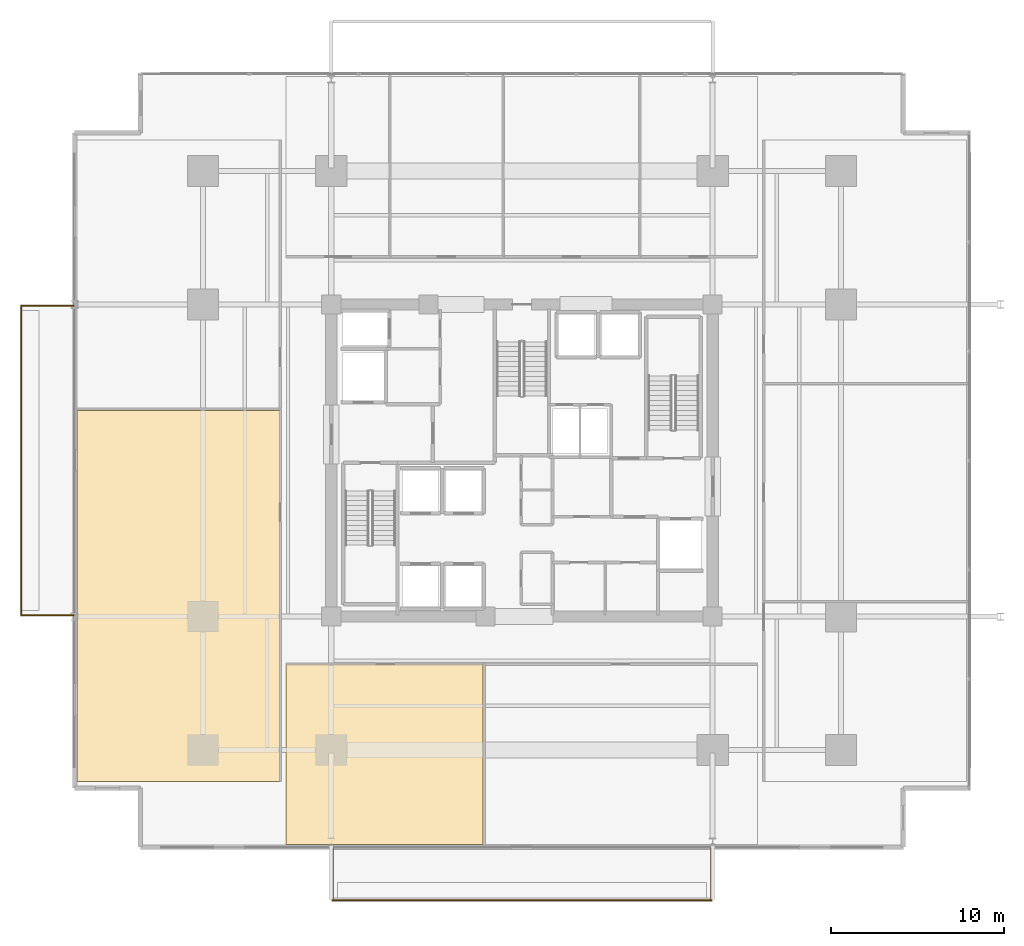
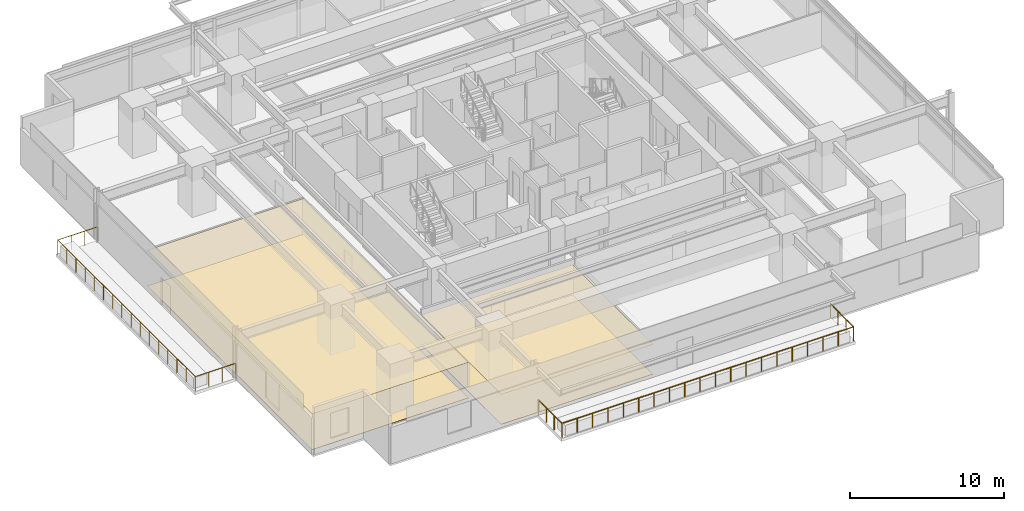
# One storey, part 18 of 22: 4 coverings, 2 railings.
"""IFC4 building model written with IfcOpenShell, lengths in metres."""

from ifc_helpers import new_model, si_unit, direction, frame, origin, origin_2d, place, context, subcontext, project, spatial, polyline, circle, outline, extrude, material, layer, layer_set, type_object, element, save


model = new_model("IFC4")

# Units and contexts
model_context = context("Model", 3, precision=1e-05, world=origin(), true_north=direction((0.0, 1.0)))
body_context = subcontext(model_context, "Body", "Model", "MODEL_VIEW")
ifc_project = project(units=[si_unit("LENGTHUNIT", "METRE"), si_unit("AREAUNIT", "SQUARE_METRE"), si_unit("VOLUMEUNIT", "CUBIC_METRE"), si_unit("PLANEANGLEUNIT", "RADIAN"), si_unit("MASSUNIT", "GRAM", prefix="KILO")], contexts=[model_context])

# Site, building, storey
site_placement = place(None, origin())
site = spatial("IfcSite", under=ifc_project, at=site_placement, CompositionType="ELEMENT")
building_placement = place(site_placement, origin())
building = spatial("IfcBuilding", under=site, at=building_placement, Name="Kovane Verandah Tower", CompositionType="ELEMENT")
storey_placement = place(building_placement, frame((0.0, 0.0, 59.60009765625)))
storey = spatial("IfcBuildingStorey", under=building, at=storey_placement, Name="L13", CompositionType="ELEMENT", Elevation=59.60009765625)

# Coverings
ifc_material_1 = material(Name="Perforated Acoustic Mineral-Fibre Ceiling Tile", Category="gypsum")
ifc_layer_1 = layer(ifc_material_1, 0.02490234375)
ifc_layer_set_1 = layer_set([ifc_layer_1], Name="Perforated Acoustic Mineral-Fibre Ceiling Tile")
covering_type_1 = type_object("IfcCoveringType", Name="CV-CEIL-25", PredefinedType="CEILING", material=ifc_layer_set_1)
covering_1_placement = place(storey_placement, frame((0.0, 0.0, 2.364990234375)))
element("IfcCovering", 1, at=covering_1_placement, inside=storey, type_object=covering_type_1, Name="L13 Collaboration Hub S1 Acoustic Ceiling", PredefinedType="CEILING", context=body_context, shape_type="SweptSolid", body=[
    extrude(outline(polyline([(26.39990234375, 5.346435546875), (37.75390625, 5.346435546875), (37.75390625, 15.75), (26.39990234375, 15.75), (26.39990234375, 5.346435546875)])), origin(), (0.0, 0.0, 1.0), 0.02490234375),
])
covering_2_placement = place(storey_placement, frame((0.0, 0.0, 2.824951171875)))
element("IfcCovering", 2, at=covering_2_placement, inside=storey, type_object=covering_type_1, Name="L13 Open Plan Office W1 Acoustic Ceiling", PredefinedType="CEILING", context=body_context, shape_type="SweptSolid", body=[
    extrude(outline(polyline([(14.3447265625, 8.996337890625), (26.050048828125, 8.996337890625), (26.050048828125, 30.390625), (14.3447265625, 30.390625), (14.3447265625, 8.996337890625)])), origin(), (0.0, 0.0, 1.0), 0.02490234375),
])
ifc_material_2 = material(Name="Polished Terrazzo and Raised-Access Carpet Tile Finish", Category="concrete")
ifc_layer_2 = layer(ifc_material_2, 0.030029296875)
ifc_layer_set_2 = layer_set([ifc_layer_2], Name="Polished Terrazzo and Raised-Access Carpet Tile Finish")
covering_type_2 = type_object("IfcCoveringType", Name="CV-FLOR-30", PredefinedType="FLOORING", material=ifc_layer_set_2)
covering_3_placement = place(storey_placement, origin())
element("IfcCovering", 3, at=covering_3_placement, inside=storey, type_object=covering_type_2, Name="L13 Collaboration Hub S1 Floor Finish", PredefinedType="FLOORING", context=body_context, shape_type="SweptSolid", body=[
    extrude(outline(polyline([(26.39990234375, 5.346435546875), (37.75390625, 5.346435546875), (37.75390625, 15.75), (26.39990234375, 15.75), (26.39990234375, 5.346435546875)])), origin(), (0.0, 0.0, 1.0), 0.02978515625),
])
covering_4_placement = place(storey_placement, origin())
element("IfcCovering", 4, at=covering_4_placement, inside=storey, type_object=covering_type_2, Name="L13 Open Plan Office W1 Floor Finish", PredefinedType="FLOORING", context=body_context, shape_type="SweptSolid", body=[
    extrude(outline(polyline([(14.3447265625, 8.996337890625), (26.050048828125, 8.996337890625), (26.050048828125, 30.390625), (14.3447265625, 30.390625), (14.3447265625, 8.996337890625)])), origin(), (0.0, 0.0, 1.0), 0.02978515625),
])

# Railings
ifc_material_3 = material(Name="Laminated Glass and Pale-Champagne Stainless Balustrade", Category="glass")
railing_type = type_object("IfcRailingType", Name="RL-BAL-1150", PredefinedType="BALUSTRADE", material=ifc_material_3)
railing_1_placement = place(storey_placement, frame((29.080078125, 5.146484375, 0.0)))
element("IfcRailing", 5, at=railing_1_placement, inside=storey, type_object=railing_type, Name="L13 S Verandah Glass Balustrade", PredefinedType="BALUSTRADE", context=body_context, shape_type="SweptSolid", body=[
    extrude(circle(Radius=0.02392578125, at=origin_2d()), frame((0.0, 0.0, 1.1259765625), z_axis=(0.0, -1.0, 0.0), x_axis=(1.0, 0.0, 0.0)), (0.0, 0.0, 1.0), 3.02001953125),
    extrude(circle(Radius=0.02392578125, at=origin_2d()), frame((0.0, -3.02001953125, 1.1259765625), z_axis=(1.0, 0.0, 0.0), x_axis=(0.0, 1.0, 0.0)), (0.0, 0.0, 1.0), 21.83984375),
    extrude(circle(Radius=0.02392578125, at=origin_2d()), frame((21.83984375, -3.02001953125, 1.1259765625), z_axis=(0.0, 1.0, 0.0), x_axis=(-1.0, 0.0, 0.0)), (0.0, 0.0, 1.0), 3.02001953125),
    extrude(circle(Radius=0.02099609375, at=origin_2d()), origin(), (0.0, 0.0, 1.0), 1.101806640625),
    extrude(circle(Radius=0.02099609375, at=origin_2d()), frame((0.0, -1.006591796875, 0.0)), (0.0, 0.0, 1.0), 1.101806640625),
    extrude(circle(Radius=0.02099609375, at=origin_2d()), frame((0.0, -2.013427734375, 0.0)), (0.0, 0.0, 1.0), 1.101806640625),
    extrude(circle(Radius=0.02099609375, at=origin_2d()), frame((0.0, -3.02001953125, 0.0)), (0.0, 0.0, 1.0), 1.101806640625),
    extrude(circle(Radius=0.02099609375, at=origin_2d()), frame((1.1494140625, -3.02001953125, 0.0)), (0.0, 0.0, 1.0), 1.101806640625),
    extrude(circle(Radius=0.02099609375, at=origin_2d()), frame((2.298828125, -3.02001953125, 0.0)), (0.0, 0.0, 1.0), 1.101806640625),
    extrude(circle(Radius=0.02099609375, at=origin_2d()), frame((3.448486328125, -3.02001953125, 0.0)), (0.0, 0.0, 1.0), 1.101806640625),
    extrude(circle(Radius=0.02099609375, at=origin_2d()), frame((4.597900390625, -3.02001953125, 0.0)), (0.0, 0.0, 1.0), 1.101806640625),
    extrude(circle(Radius=0.02099609375, at=origin_2d()), frame((5.747314453125, -3.02001953125, 0.0)), (0.0, 0.0, 1.0), 1.101806640625),
    extrude(circle(Radius=0.02099609375, at=origin_2d()), frame((6.896728515625, -3.02001953125, 0.0)), (0.0, 0.0, 1.0), 1.101806640625),
    extrude(circle(Radius=0.02099609375, at=origin_2d()), frame((8.046142578125, -3.02001953125, 0.0)), (0.0, 0.0, 1.0), 1.101806640625),
    extrude(circle(Radius=0.02099609375, at=origin_2d()), frame((9.19580078125, -3.02001953125, 0.0)), (0.0, 0.0, 1.0), 1.101806640625),
    extrude(circle(Radius=0.02099609375, at=origin_2d()), frame((10.34521484375, -3.02001953125, 0.0)), (0.0, 0.0, 1.0), 1.101806640625),
    extrude(circle(Radius=0.02099609375, at=origin_2d()), frame((11.49462890625, -3.02001953125, 0.0)), (0.0, 0.0, 1.0), 1.101806640625),
    extrude(circle(Radius=0.02099609375, at=origin_2d()), frame((12.64404296875, -3.02001953125, 0.0)), (0.0, 0.0, 1.0), 1.101806640625),
    extrude(circle(Radius=0.02099609375, at=origin_2d()), frame((13.793701171875, -3.02001953125, 0.0)), (0.0, 0.0, 1.0), 1.101806640625),
    extrude(circle(Radius=0.02099609375, at=origin_2d()), frame((14.943115234375, -3.02001953125, 0.0)), (0.0, 0.0, 1.0), 1.101806640625),
    extrude(circle(Radius=0.02099609375, at=origin_2d()), frame((16.092529296875, -3.02001953125, 0.0)), (0.0, 0.0, 1.0), 1.101806640625),
    extrude(circle(Radius=0.02099609375, at=origin_2d()), frame((17.241943359375, -3.02001953125, 0.0)), (0.0, 0.0, 1.0), 1.101806640625),
    extrude(circle(Radius=0.02099609375, at=origin_2d()), frame((18.391357421875, -3.02001953125, 0.0)), (0.0, 0.0, 1.0), 1.101806640625),
    extrude(circle(Radius=0.02099609375, at=origin_2d()), frame((19.541015625, -3.02001953125, 0.0)), (0.0, 0.0, 1.0), 1.101806640625),
    extrude(circle(Radius=0.02099609375, at=origin_2d()), frame((20.6904296875, -3.02001953125, 0.0)), (0.0, 0.0, 1.0), 1.101806640625),
    extrude(circle(Radius=0.02099609375, at=origin_2d()), frame((21.83984375, -3.02001953125, 0.0)), (0.0, 0.0, 1.0), 1.101806640625),
    extrude(circle(Radius=0.02099609375, at=origin_2d()), frame((21.83984375, -2.013427734375, 0.0)), (0.0, 0.0, 1.0), 1.101806640625),
    extrude(circle(Radius=0.02099609375, at=origin_2d()), frame((21.83984375, -1.006591796875, 0.0)), (0.0, 0.0, 1.0), 1.101806640625),
    extrude(circle(Radius=0.02099609375, at=origin_2d()), frame((21.83984375, 0.0, 0.0)), (0.0, 0.0, 1.0), 1.101806640625),
])
railing_2_placement = place(storey_placement, frame((14.144775390625, 18.580078125, 0.0)))
element("IfcRailing", 6, at=railing_2_placement, inside=storey, type_object=railing_type, Name="L13 W Verandah Glass Balustrade", PredefinedType="BALUSTRADE", context=body_context, shape_type="SweptSolid", body=[
    extrude(circle(Radius=0.02392578125, at=origin_2d()), frame((0.0, 0.0, 1.1259765625), z_axis=(-1.0, 0.0, 0.0), x_axis=(0.0, -1.0, 0.0)), (0.0, 0.0, 1.0), 3.02001953125),
    extrude(circle(Radius=0.02392578125, at=origin_2d()), frame((-3.02001953125, 0.0, 1.1259765625), z_axis=(0.0, 1.0, 0.0), x_axis=(-1.0, 0.0, 0.0)), (0.0, 0.0, 1.0), 17.83984375),
    extrude(circle(Radius=0.02392578125, at=origin_2d()), frame((-3.02001953125, 17.83984375, 1.1259765625), z_axis=(1.0, 0.0, 0.0), x_axis=(0.0, 1.0, 0.0)), (0.0, 0.0, 1.0), 3.02001953125),
    extrude(circle(Radius=0.02099609375, at=origin_2d()), origin(), (0.0, 0.0, 1.0), 1.101806640625),
    extrude(circle(Radius=0.02099609375, at=origin_2d()), frame((-1.006591796875, 0.0, 0.0)), (0.0, 0.0, 1.0), 1.101806640625),
    extrude(circle(Radius=0.02099609375, at=origin_2d()), frame((-2.013427734375, 0.0, 0.0)), (0.0, 0.0, 1.0), 1.101806640625),
    extrude(circle(Radius=0.02099609375, at=origin_2d()), frame((-3.02001953125, 0.0, 0.0)), (0.0, 0.0, 1.0), 1.101806640625),
    extrude(circle(Radius=0.02099609375, at=origin_2d()), frame((-3.02001953125, 1.189208984375, 0.0)), (0.0, 0.0, 1.0), 1.101806640625),
    extrude(circle(Radius=0.02099609375, at=origin_2d()), frame((-3.02001953125, 2.378662109375, 0.0)), (0.0, 0.0, 1.0), 1.101806640625),
    extrude(circle(Radius=0.02099609375, at=origin_2d()), frame((-3.02001953125, 3.56787109375, 0.0)), (0.0, 0.0, 1.0), 1.101806640625),
    extrude(circle(Radius=0.02099609375, at=origin_2d()), frame((-3.02001953125, 4.75732421875, 0.0)), (0.0, 0.0, 1.0), 1.101806640625),
    extrude(circle(Radius=0.02099609375, at=origin_2d()), frame((-3.02001953125, 5.946533203125, 0.0)), (0.0, 0.0, 1.0), 1.101806640625),
    extrude(circle(Radius=0.02099609375, at=origin_2d()), frame((-3.02001953125, 7.135986328125, 0.0)), (0.0, 0.0, 1.0), 1.101806640625),
    extrude(circle(Radius=0.02099609375, at=origin_2d()), frame((-3.02001953125, 8.3251953125, 0.0)), (0.0, 0.0, 1.0), 1.101806640625),
    extrude(circle(Radius=0.02099609375, at=origin_2d()), frame((-3.02001953125, 9.5146484375, 0.0)), (0.0, 0.0, 1.0), 1.101806640625),
    extrude(circle(Radius=0.02099609375, at=origin_2d()), frame((-3.02001953125, 10.703857421875, 0.0)), (0.0, 0.0, 1.0), 1.101806640625),
    extrude(circle(Radius=0.02099609375, at=origin_2d()), frame((-3.02001953125, 11.893310546875, 0.0)), (0.0, 0.0, 1.0), 1.101806640625),
    extrude(circle(Radius=0.02099609375, at=origin_2d()), frame((-3.02001953125, 13.08251953125, 0.0)), (0.0, 0.0, 1.0), 1.101806640625),
    extrude(circle(Radius=0.02099609375, at=origin_2d()), frame((-3.02001953125, 14.27197265625, 0.0)), (0.0, 0.0, 1.0), 1.101806640625),
    extrude(circle(Radius=0.02099609375, at=origin_2d()), frame((-3.02001953125, 15.461181640625, 0.0)), (0.0, 0.0, 1.0), 1.101806640625),
    extrude(circle(Radius=0.02099609375, at=origin_2d()), frame((-3.02001953125, 16.650634765625, 0.0)), (0.0, 0.0, 1.0), 1.101806640625),
    extrude(circle(Radius=0.02099609375, at=origin_2d()), frame((-3.02001953125, 17.83984375, 0.0)), (0.0, 0.0, 1.0), 1.101806640625),
    extrude(circle(Radius=0.02099609375, at=origin_2d()), frame((-2.013427734375, 17.83984375, 0.0)), (0.0, 0.0, 1.0), 1.101806640625),
    extrude(circle(Radius=0.02099609375, at=origin_2d()), frame((-1.006591796875, 17.83984375, 0.0)), (0.0, 0.0, 1.0), 1.101806640625),
    extrude(circle(Radius=0.02099609375, at=origin_2d()), frame((0.0, 17.83984375, 0.0)), (0.0, 0.0, 1.0), 1.101806640625),
])

save(model, "model.ifc")
